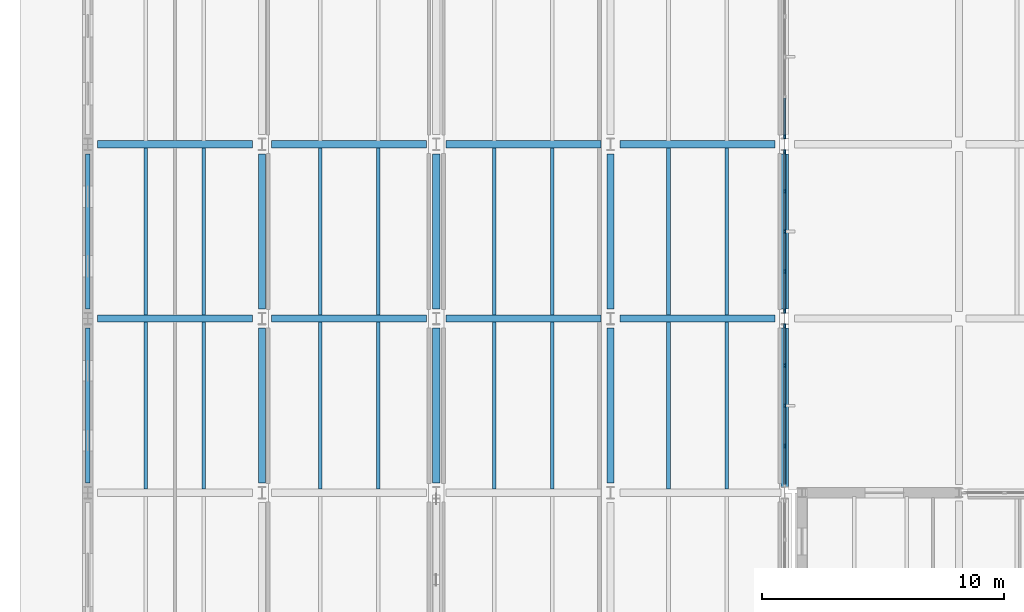
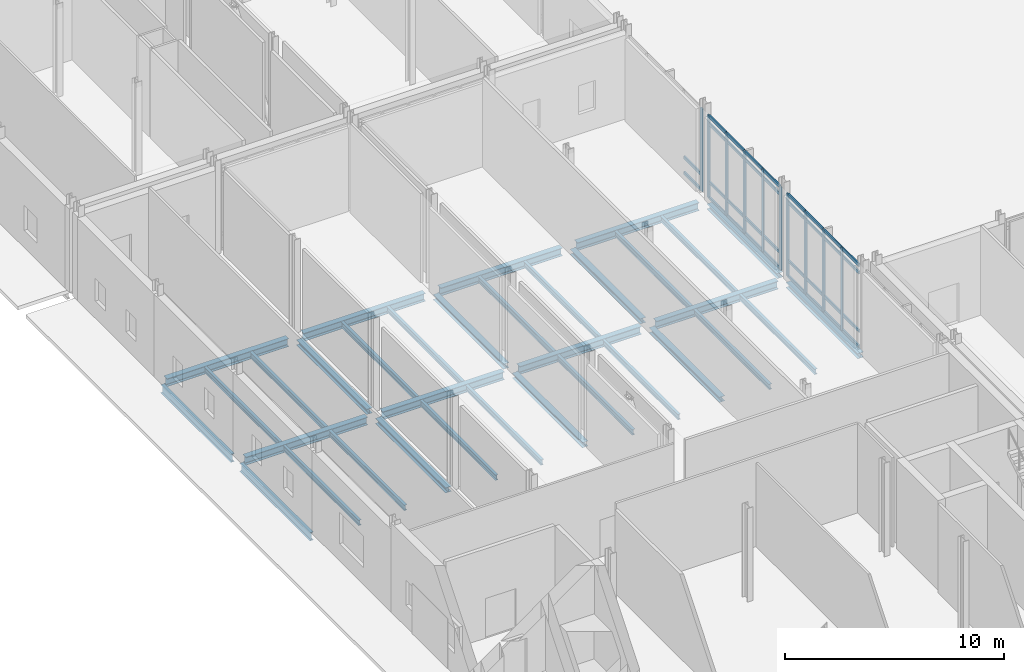
# One storey, part 17 of 89: 44 members, 34 beams, 3 elements without a shape of their own.
"""IFC4 building model written with IfcOpenShell, lengths in metres."""

from ifc_helpers import new_model, si_unit, direction, frame, origin, origin_2d, place, context, subcontext, project, spatial, rectangle, i_section, extrude, material, layer, layer_set, material_profile, profile_set, type_object, element, aggregate, save


model = new_model("IFC4")

# Units and contexts
model_context = context("Model", 3, precision=1e-05, world=origin(), true_north=direction((0.0, 1.0)))
body_context = subcontext(model_context, "Body", "Model", "MODEL_VIEW")
ifc_project = project(units=[si_unit("LENGTHUNIT", "METRE"), si_unit("AREAUNIT", "SQUARE_METRE"), si_unit("VOLUMEUNIT", "CUBIC_METRE"), si_unit("PLANEANGLEUNIT", "RADIAN"), si_unit("MASSUNIT", "GRAM", prefix="KILO")], contexts=[model_context])

# Site, building, storey
site_placement = place(None, origin())
site = spatial("IfcSite", under=ifc_project, at=site_placement, CompositionType="ELEMENT")
building_placement = place(site_placement, origin())
building = spatial("IfcBuilding", under=site, at=building_placement, Name="Zarrinpeak Specialist Clinic", CompositionType="ELEMENT")
storey_placement = place(building_placement, origin())
storey = spatial("IfcBuildingStorey", under=building, at=storey_placement, Name="L00", CompositionType="ELEMENT", Elevation=0.0)

# Beams
ifc_material_1 = material(Name="Steel S355", Category="steel")
ifc_material_profile_1 = material_profile(ifc_material_1, i_section(OverallWidth=0.300048828125, OverallDepth=0.2900390625, WebThickness=0.008544921875, FlangeThickness=0.013916015625, FilletRadius=0.027099609375, at=origin_2d()), Name="HEA 300")
ifc_profile_set_1 = profile_set([ifc_material_profile_1], Name="Steel S355")
beam_type_1 = type_object("IfcBeamType", Name="BM-HEA300", PredefinedType="BEAM", material=ifc_profile_set_1)
for number, where, z_axis, x_axis, name in (
    (1, (7.199951171875, 29.197998046875, -0.39501953125), (0.0, 1.0, 0.0), (-1.0, 0.0, 0.0), "L00 Primary Beam BM-L00-Y0222"),
    (2, (7.199951171875, 36.39794921875, -0.39501953125), (0.0, 1.0, 0.0), (-1.0, 0.0, 0.0), "L00 Primary Beam BM-L00-Y0223"),
    (3, (14.39990234375, 29.197998046875, -0.39501953125), (0.0, 1.0, 0.0), (-1.0, 0.0, 0.0), "L00 Primary Beam BM-L00-Y0234"),
    (4, (14.39990234375, 36.39794921875, -0.39501953125), (0.0, 1.0, 0.0), (-1.0, 0.0, 0.0), "L00 Primary Beam BM-L00-Y0235"),
    (5, (21.60009765625, 29.197998046875, -0.39501953125), (0.0, 1.0, 0.0), (-1.0, 0.0, 0.0), "L00 Primary Beam BM-L00-Y0246"),
    (6, (21.60009765625, 36.39794921875, -0.39501953125), (0.0, 1.0, 0.0), (-1.0, 0.0, 0.0), "L00 Primary Beam BM-L00-Y0247"),
):
    element("IfcBeam", number, at=place(storey_placement, frame(where, z_axis=z_axis, x_axis=x_axis)), inside=storey, type_object=beam_type_1, Name=name, PredefinedType="BEAM", context=body_context, shape_type="SweptSolid", body=[
        extrude(i_section(OverallWidth=0.300048828125, OverallDepth=0.2900390625, WebThickness=0.008544921875, FlangeThickness=0.013916015625, FilletRadius=0.027099609375, at=origin_2d()), origin(), (0.0, 0.0, 1.0), 6.404052734375),
    ])
beam_1_placement = place(storey_placement, frame((28.800048828125, 29.048095703125, -0.39501953125), z_axis=(0.0, 1.0, 0.0), x_axis=(-1.0, 0.0, 0.0)))
element("IfcBeam", 7, at=beam_1_placement, inside=storey, type_object=beam_type_1, Name="L00 Primary Beam BM-L00-Y0255", PredefinedType="BEAM", context=body_context, shape_type="SweptSolid", body=[
    extrude(i_section(OverallWidth=0.300048828125, OverallDepth=0.2900390625, WebThickness=0.008544921875, FlangeThickness=0.013916015625, FilletRadius=0.027099609375, at=origin_2d()), origin(), (0.0, 0.0, 1.0), 6.553955078125),
])
beam_2_placement = place(storey_placement, frame((28.800048828125, 36.39794921875, -0.39501953125), z_axis=(0.0, 1.0, 0.0), x_axis=(-1.0, 0.0, 0.0)))
element("IfcBeam", 8, at=beam_2_placement, inside=storey, type_object=beam_type_1, Name="L00 Primary Beam BM-L00-Y0256", PredefinedType="BEAM", context=body_context, shape_type="SweptSolid", body=[
    extrude(i_section(OverallWidth=0.300048828125, OverallDepth=0.2900390625, WebThickness=0.008544921875, FlangeThickness=0.013916015625, FilletRadius=0.027099609375, at=origin_2d()), origin(), (0.0, 0.0, 1.0), 6.404052734375),
])
ifc_material_profile_2 = material_profile(ifc_material_1, i_section(OverallWidth=0.300048828125, OverallDepth=0.43994140625, WebThickness=0.011474609375, FlangeThickness=0.02099609375, FilletRadius=0.027099609375, at=origin_2d()), Name="HEA 450")
ifc_profile_set_2 = profile_set([ifc_material_profile_2], Name="Steel S355")
beam_type_2 = type_object("IfcBeamType", Name="BM-HEA450", PredefinedType="BEAM", material=ifc_profile_set_2)
for number, where, z_axis, x_axis, name in (
    (9, (0.39794921875, 36.0, -0.469970703125), (1.0, 0.0, 0.0), (0.0, 1.0, 0.0), "L00 Primary Floor Girder BM-L00-X0056"),
    (10, (7.597900390625, 36.0, -0.469970703125), (1.0, 0.0, 0.0), (0.0, 1.0, 0.0), "L00 Primary Floor Girder BM-L00-X0057"),
):
    element("IfcBeam", number, at=place(storey_placement, frame(where, z_axis=z_axis, x_axis=x_axis)), inside=storey, type_object=beam_type_2, Name=name, PredefinedType="BEAM", context=body_context, shape_type="SweptSolid", body=[
        extrude(i_section(OverallWidth=0.300048828125, OverallDepth=0.43994140625, WebThickness=0.011474609375, FlangeThickness=0.02099609375, FilletRadius=0.027099609375, at=origin_2d()), origin(), (0.0, 0.0, 1.0), 6.404052734375),
    ])
beam_3_placement = place(storey_placement, frame((14.798095703125, 36.0, -0.469970703125), z_axis=(1.0, 0.0, 0.0), x_axis=(0.0, 1.0, 0.0)))
element("IfcBeam", 11, at=beam_3_placement, inside=storey, type_object=beam_type_2, Name="L00 Primary Floor Girder BM-L00-X0058", PredefinedType="BEAM", context=body_context, shape_type="SweptSolid", body=[
    extrude(i_section(OverallWidth=0.300048828125, OverallDepth=0.43994140625, WebThickness=0.011474609375, FlangeThickness=0.02099609375, FilletRadius=0.027099609375, at=origin_2d()), origin(), (0.0, 0.0, 1.0), 6.40380859375),
])
for number, where, z_axis, x_axis, name in (
    (12, (21.998046875, 36.0, -0.469970703125), (1.0, 0.0, 0.0), (0.0, 1.0, 0.0), "L00 Primary Floor Girder BM-L00-X0059"),
    (13, (0.39794921875, 43.199951171875, -0.469970703125), (1.0, 0.0, 0.0), (0.0, 1.0, 0.0), "L00 Primary Floor Girder BM-L00-X0078"),
    (14, (7.597900390625, 43.199951171875, -0.469970703125), (1.0, 0.0, 0.0), (0.0, 1.0, 0.0), "L00 Primary Floor Girder BM-L00-X0079"),
):
    element("IfcBeam", number, at=place(storey_placement, frame(where, z_axis=z_axis, x_axis=x_axis)), inside=storey, type_object=beam_type_2, Name=name, PredefinedType="BEAM", context=body_context, shape_type="SweptSolid", body=[
        extrude(i_section(OverallWidth=0.300048828125, OverallDepth=0.43994140625, WebThickness=0.011474609375, FlangeThickness=0.02099609375, FilletRadius=0.027099609375, at=origin_2d()), origin(), (0.0, 0.0, 1.0), 6.404052734375),
    ])
beam_4_placement = place(storey_placement, frame((14.798095703125, 43.199951171875, -0.469970703125), z_axis=(1.0, 0.0, 0.0), x_axis=(0.0, 1.0, 0.0)))
element("IfcBeam", 15, at=beam_4_placement, inside=storey, type_object=beam_type_2, Name="L00 Primary Floor Girder BM-L00-X0080", PredefinedType="BEAM", context=body_context, shape_type="SweptSolid", body=[
    extrude(i_section(OverallWidth=0.300048828125, OverallDepth=0.43994140625, WebThickness=0.011474609375, FlangeThickness=0.02099609375, FilletRadius=0.027099609375, at=origin_2d()), origin(), (0.0, 0.0, 1.0), 6.40380859375),
])
beam_5_placement = place(storey_placement, frame((21.998046875, 43.199951171875, -0.469970703125), z_axis=(1.0, 0.0, 0.0), x_axis=(0.0, 1.0, 0.0)))
element("IfcBeam", 16, at=beam_5_placement, inside=storey, type_object=beam_type_2, Name="L00 Primary Floor Girder BM-L00-X0081", PredefinedType="BEAM", context=body_context, shape_type="SweptSolid", body=[
    extrude(i_section(OverallWidth=0.300048828125, OverallDepth=0.43994140625, WebThickness=0.011474609375, FlangeThickness=0.02099609375, FilletRadius=0.027099609375, at=origin_2d()), origin(), (0.0, 0.0, 1.0), 6.404052734375),
])
ifc_material_profile_3 = material_profile(ifc_material_1, i_section(OverallWidth=0.14990234375, OverallDepth=0.300048828125, WebThickness=0.007080078125, FlangeThickness=0.0107421875, FilletRadius=0.014892578125, at=origin_2d()), Name="IPE 300")
ifc_profile_set_3 = profile_set([ifc_material_profile_3], Name="Steel S355")
beam_type_3 = type_object("IfcBeamType", Name="BM-JST300", PredefinedType="JOIST", material=ifc_profile_set_3)
for number, where, z_axis, x_axis, name in (
    (17, (2.39990234375, 28.947998046875, -0.39990234375), (0.0, 1.0, 0.0), (-1.0, 0.0, 0.0), "L00 Composite Floor Joist JST-L00-0415"),
    (18, (4.800048828125, 28.947998046875, -0.39990234375), (0.0, 1.0, 0.0), (-1.0, 0.0, 0.0), "L00 Composite Floor Joist JST-L00-0416"),
    (19, (2.39990234375, 36.14794921875, -0.39990234375), (0.0, 1.0, 0.0), (-1.0, 0.0, 0.0), "L00 Composite Floor Joist JST-L00-0417"),
    (20, (4.800048828125, 36.14794921875, -0.39990234375), (0.0, 1.0, 0.0), (-1.0, 0.0, 0.0), "L00 Composite Floor Joist JST-L00-0418"),
    (21, (9.60009765625, 28.947998046875, -0.39990234375), (0.0, 1.0, 0.0), (-1.0, 0.0, 0.0), "L00 Composite Floor Joist JST-L00-0429"),
    (22, (12.0, 28.947998046875, -0.39990234375), (0.0, 1.0, 0.0), (-1.0, 0.0, 0.0), "L00 Composite Floor Joist JST-L00-0430"),
    (23, (9.60009765625, 36.14794921875, -0.39990234375), (0.0, 1.0, 0.0), (-1.0, 0.0, 0.0), "L00 Composite Floor Joist JST-L00-0431"),
    (24, (12.0, 36.14794921875, -0.39990234375), (0.0, 1.0, 0.0), (-1.0, 0.0, 0.0), "L00 Composite Floor Joist JST-L00-0432"),
    (25, (16.800048828125, 28.947998046875, -0.39990234375), (0.0, 1.0, 0.0), (-1.0, 0.0, 0.0), "L00 Composite Floor Joist JST-L00-0443"),
    (26, (19.199951171875, 28.947998046875, -0.39990234375), (0.0, 1.0, 0.0), (-1.0, 0.0, 0.0), "L00 Composite Floor Joist JST-L00-0444"),
    (27, (16.800048828125, 36.14794921875, -0.39990234375), (0.0, 1.0, 0.0), (-1.0, 0.0, 0.0), "L00 Composite Floor Joist JST-L00-0445"),
    (28, (19.199951171875, 36.14794921875, -0.39990234375), (0.0, 1.0, 0.0), (-1.0, 0.0, 0.0), "L00 Composite Floor Joist JST-L00-0446"),
    (29, (24.0, 28.947998046875, -0.39990234375), (0.0, 1.0, 0.0), (-1.0, 0.0, 0.0), "L00 Composite Floor Joist JST-L00-0451"),
    (30, (26.39990234375, 28.947998046875, -0.39990234375), (0.0, 1.0, 0.0), (-1.0, 0.0, 0.0), "L00 Composite Floor Joist JST-L00-0452"),
    (31, (24.0, 36.14794921875, -0.39990234375), (0.0, 1.0, 0.0), (-1.0, 0.0, 0.0), "L00 Composite Floor Joist JST-L00-0453"),
    (32, (26.39990234375, 36.14794921875, -0.39990234375), (0.0, 1.0, 0.0), (-1.0, 0.0, 0.0), "L00 Composite Floor Joist JST-L00-0454"),
):
    element("IfcBeam", number, at=place(storey_placement, frame(where, z_axis=z_axis, x_axis=x_axis)), inside=storey, type_object=beam_type_3, Name=name, PredefinedType="JOIST", context=body_context, shape_type="SweptSolid", body=[
        extrude(i_section(OverallWidth=0.14990234375, OverallDepth=0.300048828125, WebThickness=0.007080078125, FlangeThickness=0.0107421875, FilletRadius=0.014892578125, at=origin_2d()), origin(), (0.0, 0.0, 1.0), 6.904052734375),
    ])
ifc_material_profile_4 = material_profile(ifc_material_1, i_section(OverallWidth=0.18994140625, OverallDepth=0.449951171875, WebThickness=0.009521484375, FlangeThickness=0.0146484375, FilletRadius=0.02099609375, at=origin_2d()), Name="IPE 450")
ifc_profile_set_4 = profile_set([ifc_material_profile_4], Name="Steel S355")
beam_type_4 = type_object("IfcBeamType", Name="BM-SP450", PredefinedType="SPANDREL", material=ifc_profile_set_4)
for number, where, z_axis, x_axis, name in (
    (33, (0.0, 29.197998046875, -0.47509765625), (0.0, 1.0, 0.0), (-1.0, 0.0, 0.0), "L00 Perimeter Spandrel Beam BM-L00-Y0212"),
    (34, (0.0, 36.39794921875, -0.47509765625), (0.0, 1.0, 0.0), (-1.0, 0.0, 0.0), "L00 Perimeter Spandrel Beam BM-L00-Y0213"),
):
    element("IfcBeam", number, at=place(storey_placement, frame(where, z_axis=z_axis, x_axis=x_axis)), inside=storey, type_object=beam_type_4, Name=name, PredefinedType="SPANDREL", context=body_context, shape_type="SweptSolid", body=[
        extrude(i_section(OverallWidth=0.18994140625, OverallDepth=0.449951171875, WebThickness=0.009521484375, FlangeThickness=0.0146484375, FilletRadius=0.02099609375, at=origin_2d()), origin(), (0.0, 0.0, 1.0), 6.404052734375),
    ])

# Curtain wall, members
ifc_material_2 = material(Name="Anodised Aluminium Alloy 6063-T6", Category="aluminium")
ifc_layer = layer(ifc_material_2, 0.179931640625)
ifc_layer_set = layer_set([ifc_layer], Name="Anodised Aluminium Alloy 6063-T6")
curtain_wall_type = type_object("IfcCurtainWallType", Name="CW-COURT", PredefinedType="NOTDEFINED", material=ifc_layer_set)
curtain_wall_1_placement = place(storey_placement, origin())
curtain_wall_1 = element("IfcCurtainWall", 35, at=curtain_wall_1_placement, inside=storey, type_object=curtain_wall_type, Name="L00 V1 Unitised Curtain Wall CW-L00-V1-004", PredefinedType="NOTDEFINED")
ifc_material_profile_5 = material_profile(ifc_material_2, rectangle(XDim=0.074951171875, YDim=0.179931640625, at=origin_2d()), Name="ALU 75x180")
ifc_profile_set_5 = profile_set([ifc_material_profile_5], Name="Anodised Aluminium Alloy 6063-T6")
member_type_1 = type_object("IfcMemberType", Name="CWM-75", PredefinedType="MULLION", material=ifc_profile_set_5)
member_1_placement = place(storey_placement, frame((28.800048828125, 30.737548828125, 0.0), z_axis=(0.0, 0.0, 1.0), x_axis=(-1.0, 0.0, 0.0)))
member_1 = element("IfcMember", 36, at=member_1_placement, type_object=member_type_1, Name="CW-01 mullion 2", PredefinedType="MULLION", context=body_context, shape_type="SweptSolid", body=[
    extrude(rectangle(XDim=0.074951171875, YDim=0.179931640625, at=origin_2d()), origin(), (0.0, 0.0, 1.0), 4.594970703125),
])
member_2_placement = place(storey_placement, frame((28.800048828125, 32.39990234375, 0.0), z_axis=(0.0, 0.0, 1.0), x_axis=(-1.0, 0.0, 0.0)))
member_2 = element("IfcMember", 37, at=member_2_placement, type_object=member_type_1, Name="CW-01 mullion 3", PredefinedType="MULLION", context=body_context, shape_type="SweptSolid", body=[
    extrude(rectangle(XDim=0.074951171875, YDim=0.179931640625, at=origin_2d()), origin(), (0.0, 0.0, 1.0), 4.594970703125),
])
member_3_placement = place(storey_placement, frame((28.800048828125, 34.0625, 0.0), z_axis=(0.0, 0.0, 1.0), x_axis=(-1.0, 0.0, 0.0)))
member_3 = element("IfcMember", 38, at=member_3_placement, type_object=member_type_1, Name="CW-01 mullion 4", PredefinedType="MULLION", context=body_context, shape_type="SweptSolid", body=[
    extrude(rectangle(XDim=0.074951171875, YDim=0.179931640625, at=origin_2d()), origin(), (0.0, 0.0, 1.0), 4.594970703125),
])
member_4_placement = place(storey_placement, frame((28.800048828125, 35.6875, 0.0), z_axis=(0.0, 0.0, 1.0), x_axis=(-1.0, 0.0, 0.0)))
member_4 = element("IfcMember", 39, at=member_4_placement, type_object=member_type_1, Name="CW-01 mullion 5", PredefinedType="MULLION", context=body_context, shape_type="SweptSolid", body=[
    extrude(rectangle(XDim=0.074951171875, YDim=0.179931640625, at=origin_2d()), origin(), (0.0, 0.0, 1.0), 4.594970703125),
])

curtain_wall_2_placement = place(storey_placement, origin())
curtain_wall_2 = element("IfcCurtainWall", 40, at=curtain_wall_2_placement, inside=storey, type_object=curtain_wall_type, Name="L00 V1 Unitised Curtain Wall CW-L00-V1-005", PredefinedType="NOTDEFINED")
member_5_placement = place(storey_placement, frame((28.800048828125, 36.3125, 0.0), z_axis=(0.0, 0.0, 1.0), x_axis=(-1.0, 0.0, 0.0)))
member_5 = element("IfcMember", 41, at=member_5_placement, type_object=member_type_1, Name="CW-01 mullion 1", PredefinedType="MULLION", context=body_context, shape_type="SweptSolid", body=[
    extrude(rectangle(XDim=0.074951171875, YDim=0.179931640625, at=origin_2d()), origin(), (0.0, 0.0, 1.0), 4.594970703125),
])
member_6_placement = place(storey_placement, frame((28.800048828125, 37.9375, 0.0), z_axis=(0.0, 0.0, 1.0), x_axis=(-1.0, 0.0, 0.0)))
member_6 = element("IfcMember", 42, at=member_6_placement, type_object=member_type_1, Name="CW-01 mullion 2", PredefinedType="MULLION", context=body_context, shape_type="SweptSolid", body=[
    extrude(rectangle(XDim=0.074951171875, YDim=0.179931640625, at=origin_2d()), origin(), (0.0, 0.0, 1.0), 4.594970703125),
])
member_7_placement = place(storey_placement, frame((28.800048828125, 39.60009765625, 0.0), z_axis=(0.0, 0.0, 1.0), x_axis=(-1.0, 0.0, 0.0)))
member_7 = element("IfcMember", 43, at=member_7_placement, type_object=member_type_1, Name="CW-01 mullion 3", PredefinedType="MULLION", context=body_context, shape_type="SweptSolid", body=[
    extrude(rectangle(XDim=0.074951171875, YDim=0.179931640625, at=origin_2d()), origin(), (0.0, 0.0, 1.0), 4.594970703125),
])
member_8_placement = place(storey_placement, frame((28.800048828125, 41.262451171875, 0.0), z_axis=(0.0, 0.0, 1.0), x_axis=(-1.0, 0.0, 0.0)))
member_8 = element("IfcMember", 44, at=member_8_placement, type_object=member_type_1, Name="CW-01 mullion 4", PredefinedType="MULLION", context=body_context, shape_type="SweptSolid", body=[
    extrude(rectangle(XDim=0.074951171875, YDim=0.179931640625, at=origin_2d()), origin(), (0.0, 0.0, 1.0), 4.594970703125),
])
member_9_placement = place(storey_placement, frame((28.800048828125, 42.887451171875, 0.0), z_axis=(0.0, 0.0, 1.0), x_axis=(-1.0, 0.0, 0.0)))
member_9 = element("IfcMember", 45, at=member_9_placement, type_object=member_type_1, Name="CW-01 mullion 5", PredefinedType="MULLION", context=body_context, shape_type="SweptSolid", body=[
    extrude(rectangle(XDim=0.074951171875, YDim=0.179931640625, at=origin_2d()), origin(), (0.0, 0.0, 1.0), 4.594970703125),
])

# Curtain wall, member
curtain_wall_3_placement = place(storey_placement, origin())
curtain_wall_3 = element("IfcCurtainWall", 46, at=curtain_wall_3_placement, inside=storey, type_object=curtain_wall_type, Name="L00 V1 Unitised Curtain Wall CW-L00-V1-006", PredefinedType="NOTDEFINED")
member_10_placement = place(storey_placement, frame((28.800048828125, 43.512451171875, 0.0), z_axis=(0.0, 0.0, 1.0), x_axis=(-1.0, 0.0, 0.0)))
member_10 = element("IfcMember", 47, at=member_10_placement, type_object=member_type_1, Name="CW-01 mullion 1", PredefinedType="MULLION", context=body_context, shape_type="SweptSolid", body=[
    extrude(rectangle(XDim=0.074951171875, YDim=0.179931640625, at=origin_2d()), origin(), (0.0, 0.0, 1.0), 4.594970703125),
])

# Member
ifc_material_profile_6 = material_profile(ifc_material_2, rectangle(XDim=0.074951171875, YDim=0.159912109375, at=origin_2d()), Name="ALU 75x160")
ifc_profile_set_6 = profile_set([ifc_material_profile_6], Name="Anodised Aluminium Alloy 6063-T6")
member_type_2 = type_object("IfcMemberType", Name="CWT-75", PredefinedType="USERDEFINED", material=ifc_profile_set_6)
member_11_placement = place(storey_placement, frame((28.800048828125, 29.14990234375, 0.03759765625), z_axis=(0.0, 1.0, 0.0), x_axis=(-1.0, 0.0, 0.0)))
member_11 = element("IfcMember", 48, at=member_11_placement, type_object=member_type_2, Name="CW-01 transom 1.1", ObjectType="TRANSOM", PredefinedType="USERDEFINED", context=body_context, shape_type="SweptSolid", body=[
    extrude(rectangle(XDim=0.074951171875, YDim=0.159912109375, at=origin_2d()), origin(), (0.0, 0.0, 1.0), 1.550048828125),
])

member_12_placement = place(storey_placement, frame((28.800048828125, 29.14990234375, 0.89990234375), z_axis=(0.0, 1.0, 0.0), x_axis=(-1.0, 0.0, 0.0)))
member_12 = element("IfcMember", 49, at=member_12_placement, type_object=member_type_2, Name="CW-01 transom 1.2", ObjectType="TRANSOM", PredefinedType="USERDEFINED", context=body_context, shape_type="SweptSolid", body=[
    extrude(rectangle(XDim=0.074951171875, YDim=0.159912109375, at=origin_2d()), origin(), (0.0, 0.0, 1.0), 1.550048828125),
])

member_13_placement = place(storey_placement, frame((28.800048828125, 29.14990234375, 4.14501953125), z_axis=(0.0, 1.0, 0.0), x_axis=(-1.0, 0.0, 0.0)))
member_13 = element("IfcMember", 50, at=member_13_placement, type_object=member_type_2, Name="CW-01 transom 1.3", ObjectType="TRANSOM", PredefinedType="USERDEFINED", context=body_context, shape_type="SweptSolid", body=[
    extrude(rectangle(XDim=0.074951171875, YDim=0.159912109375, at=origin_2d()), origin(), (0.0, 0.0, 1.0), 1.550048828125),
])

member_14_placement = place(storey_placement, frame((28.800048828125, 29.14990234375, 4.5576171875), z_axis=(0.0, 1.0, 0.0), x_axis=(-1.0, 0.0, 0.0)))
member_14 = element("IfcMember", 51, at=member_14_placement, type_object=member_type_2, Name="CW-01 transom 1.4", ObjectType="TRANSOM", PredefinedType="USERDEFINED", context=body_context, shape_type="SweptSolid", body=[
    extrude(rectangle(XDim=0.074951171875, YDim=0.159912109375, at=origin_2d()), origin(), (0.0, 0.0, 1.0), 1.550048828125),
])

member_15_placement = place(storey_placement, frame((28.800048828125, 30.77490234375, 0.03759765625), z_axis=(0.0, 1.0, 0.0), x_axis=(-1.0, 0.0, 0.0)))
member_15 = element("IfcMember", 52, at=member_15_placement, type_object=member_type_2, Name="CW-01 transom 2.1", ObjectType="TRANSOM", PredefinedType="USERDEFINED", context=body_context, shape_type="SweptSolid", body=[
    extrude(rectangle(XDim=0.074951171875, YDim=0.159912109375, at=origin_2d()), origin(), (0.0, 0.0, 1.0), 1.587646484375),
])

member_16_placement = place(storey_placement, frame((28.800048828125, 30.77490234375, 0.89990234375), z_axis=(0.0, 1.0, 0.0), x_axis=(-1.0, 0.0, 0.0)))
member_16 = element("IfcMember", 53, at=member_16_placement, type_object=member_type_2, Name="CW-01 transom 2.2", ObjectType="TRANSOM", PredefinedType="USERDEFINED", context=body_context, shape_type="SweptSolid", body=[
    extrude(rectangle(XDim=0.074951171875, YDim=0.159912109375, at=origin_2d()), origin(), (0.0, 0.0, 1.0), 1.587646484375),
])

member_17_placement = place(storey_placement, frame((28.800048828125, 30.77490234375, 4.14501953125), z_axis=(0.0, 1.0, 0.0), x_axis=(-1.0, 0.0, 0.0)))
member_17 = element("IfcMember", 54, at=member_17_placement, type_object=member_type_2, Name="CW-01 transom 2.3", ObjectType="TRANSOM", PredefinedType="USERDEFINED", context=body_context, shape_type="SweptSolid", body=[
    extrude(rectangle(XDim=0.074951171875, YDim=0.159912109375, at=origin_2d()), origin(), (0.0, 0.0, 1.0), 1.587646484375),
])

member_18_placement = place(storey_placement, frame((28.800048828125, 30.77490234375, 4.5576171875), z_axis=(0.0, 1.0, 0.0), x_axis=(-1.0, 0.0, 0.0)))
member_18 = element("IfcMember", 55, at=member_18_placement, type_object=member_type_2, Name="CW-01 transom 2.4", ObjectType="TRANSOM", PredefinedType="USERDEFINED", context=body_context, shape_type="SweptSolid", body=[
    extrude(rectangle(XDim=0.074951171875, YDim=0.159912109375, at=origin_2d()), origin(), (0.0, 0.0, 1.0), 1.587646484375),
])

member_19_placement = place(storey_placement, frame((28.800048828125, 32.4375, 0.03759765625), z_axis=(0.0, 1.0, 0.0), x_axis=(-1.0, 0.0, 0.0)))
member_19 = element("IfcMember", 56, at=member_19_placement, type_object=member_type_2, Name="CW-01 transom 3.1", ObjectType="TRANSOM", PredefinedType="USERDEFINED", context=body_context, shape_type="SweptSolid", body=[
    extrude(rectangle(XDim=0.074951171875, YDim=0.159912109375, at=origin_2d()), origin(), (0.0, 0.0, 1.0), 1.58740234375),
])

member_20_placement = place(storey_placement, frame((28.800048828125, 32.4375, 0.89990234375), z_axis=(0.0, 1.0, 0.0), x_axis=(-1.0, 0.0, 0.0)))
member_20 = element("IfcMember", 57, at=member_20_placement, type_object=member_type_2, Name="CW-01 transom 3.2", ObjectType="TRANSOM", PredefinedType="USERDEFINED", context=body_context, shape_type="SweptSolid", body=[
    extrude(rectangle(XDim=0.074951171875, YDim=0.159912109375, at=origin_2d()), origin(), (0.0, 0.0, 1.0), 1.58740234375),
])

member_21_placement = place(storey_placement, frame((28.800048828125, 32.4375, 4.14501953125), z_axis=(0.0, 1.0, 0.0), x_axis=(-1.0, 0.0, 0.0)))
member_21 = element("IfcMember", 58, at=member_21_placement, type_object=member_type_2, Name="CW-01 transom 3.3", ObjectType="TRANSOM", PredefinedType="USERDEFINED", context=body_context, shape_type="SweptSolid", body=[
    extrude(rectangle(XDim=0.074951171875, YDim=0.159912109375, at=origin_2d()), origin(), (0.0, 0.0, 1.0), 1.58740234375),
])

member_22_placement = place(storey_placement, frame((28.800048828125, 32.4375, 4.5576171875), z_axis=(0.0, 1.0, 0.0), x_axis=(-1.0, 0.0, 0.0)))
member_22 = element("IfcMember", 59, at=member_22_placement, type_object=member_type_2, Name="CW-01 transom 3.4", ObjectType="TRANSOM", PredefinedType="USERDEFINED", context=body_context, shape_type="SweptSolid", body=[
    extrude(rectangle(XDim=0.074951171875, YDim=0.159912109375, at=origin_2d()), origin(), (0.0, 0.0, 1.0), 1.58740234375),
])

member_23_placement = place(storey_placement, frame((28.800048828125, 34.10009765625, 0.03759765625), z_axis=(0.0, 1.0, 0.0), x_axis=(-1.0, 0.0, 0.0)))
member_23 = element("IfcMember", 60, at=member_23_placement, type_object=member_type_2, Name="CW-01 transom 4.1", ObjectType="TRANSOM", PredefinedType="USERDEFINED", context=body_context, shape_type="SweptSolid", body=[
    extrude(rectangle(XDim=0.074951171875, YDim=0.159912109375, at=origin_2d()), origin(), (0.0, 0.0, 1.0), 1.5498046875),
])

member_24_placement = place(storey_placement, frame((28.800048828125, 34.10009765625, 0.89990234375), z_axis=(0.0, 1.0, 0.0), x_axis=(-1.0, 0.0, 0.0)))
member_24 = element("IfcMember", 61, at=member_24_placement, type_object=member_type_2, Name="CW-01 transom 4.2", ObjectType="TRANSOM", PredefinedType="USERDEFINED", context=body_context, shape_type="SweptSolid", body=[
    extrude(rectangle(XDim=0.074951171875, YDim=0.159912109375, at=origin_2d()), origin(), (0.0, 0.0, 1.0), 1.5498046875),
])

member_25_placement = place(storey_placement, frame((28.800048828125, 34.10009765625, 4.14501953125), z_axis=(0.0, 1.0, 0.0), x_axis=(-1.0, 0.0, 0.0)))
member_25 = element("IfcMember", 62, at=member_25_placement, type_object=member_type_2, Name="CW-01 transom 4.3", ObjectType="TRANSOM", PredefinedType="USERDEFINED", context=body_context, shape_type="SweptSolid", body=[
    extrude(rectangle(XDim=0.074951171875, YDim=0.159912109375, at=origin_2d()), origin(), (0.0, 0.0, 1.0), 1.5498046875),
])

member_26_placement = place(storey_placement, frame((28.800048828125, 34.10009765625, 4.5576171875), z_axis=(0.0, 1.0, 0.0), x_axis=(-1.0, 0.0, 0.0)))
member_26 = element("IfcMember", 63, at=member_26_placement, type_object=member_type_2, Name="CW-01 transom 4.4", ObjectType="TRANSOM", PredefinedType="USERDEFINED", context=body_context, shape_type="SweptSolid", body=[
    extrude(rectangle(XDim=0.074951171875, YDim=0.159912109375, at=origin_2d()), origin(), (0.0, 0.0, 1.0), 1.5498046875),
])

aggregate(curtain_wall_1, [member_1, member_2, member_3, member_4, member_11, member_12, member_13, member_14, member_15, member_16, member_17, member_18, member_19, member_20, member_21, member_22, member_23, member_24, member_25, member_26])

member_27_placement = place(storey_placement, frame((28.800048828125, 36.35009765625, 0.03759765625), z_axis=(0.0, 1.0, 0.0), x_axis=(-1.0, 0.0, 0.0)))
member_27 = element("IfcMember", 64, at=member_27_placement, type_object=member_type_2, Name="CW-01 transom 1.1", ObjectType="TRANSOM", PredefinedType="USERDEFINED", context=body_context, shape_type="SweptSolid", body=[
    extrude(rectangle(XDim=0.074951171875, YDim=0.159912109375, at=origin_2d()), origin(), (0.0, 0.0, 1.0), 1.5498046875),
])

member_28_placement = place(storey_placement, frame((28.800048828125, 36.35009765625, 0.89990234375), z_axis=(0.0, 1.0, 0.0), x_axis=(-1.0, 0.0, 0.0)))
member_28 = element("IfcMember", 65, at=member_28_placement, type_object=member_type_2, Name="CW-01 transom 1.2", ObjectType="TRANSOM", PredefinedType="USERDEFINED", context=body_context, shape_type="SweptSolid", body=[
    extrude(rectangle(XDim=0.074951171875, YDim=0.159912109375, at=origin_2d()), origin(), (0.0, 0.0, 1.0), 1.5498046875),
])

member_29_placement = place(storey_placement, frame((28.800048828125, 36.35009765625, 4.14501953125), z_axis=(0.0, 1.0, 0.0), x_axis=(-1.0, 0.0, 0.0)))
member_29 = element("IfcMember", 66, at=member_29_placement, type_object=member_type_2, Name="CW-01 transom 1.3", ObjectType="TRANSOM", PredefinedType="USERDEFINED", context=body_context, shape_type="SweptSolid", body=[
    extrude(rectangle(XDim=0.074951171875, YDim=0.159912109375, at=origin_2d()), origin(), (0.0, 0.0, 1.0), 1.5498046875),
])

member_30_placement = place(storey_placement, frame((28.800048828125, 36.35009765625, 4.5576171875), z_axis=(0.0, 1.0, 0.0), x_axis=(-1.0, 0.0, 0.0)))
member_30 = element("IfcMember", 67, at=member_30_placement, type_object=member_type_2, Name="CW-01 transom 1.4", ObjectType="TRANSOM", PredefinedType="USERDEFINED", context=body_context, shape_type="SweptSolid", body=[
    extrude(rectangle(XDim=0.074951171875, YDim=0.159912109375, at=origin_2d()), origin(), (0.0, 0.0, 1.0), 1.5498046875),
])

member_31_placement = place(storey_placement, frame((28.800048828125, 37.97509765625, 0.03759765625), z_axis=(0.0, 1.0, 0.0), x_axis=(-1.0, 0.0, 0.0)))
member_31 = element("IfcMember", 68, at=member_31_placement, type_object=member_type_2, Name="CW-01 transom 2.1", ObjectType="TRANSOM", PredefinedType="USERDEFINED", context=body_context, shape_type="SweptSolid", body=[
    extrude(rectangle(XDim=0.074951171875, YDim=0.159912109375, at=origin_2d()), origin(), (0.0, 0.0, 1.0), 1.58740234375),
])

member_32_placement = place(storey_placement, frame((28.800048828125, 37.97509765625, 0.89990234375), z_axis=(0.0, 1.0, 0.0), x_axis=(-1.0, 0.0, 0.0)))
member_32 = element("IfcMember", 69, at=member_32_placement, type_object=member_type_2, Name="CW-01 transom 2.2", ObjectType="TRANSOM", PredefinedType="USERDEFINED", context=body_context, shape_type="SweptSolid", body=[
    extrude(rectangle(XDim=0.074951171875, YDim=0.159912109375, at=origin_2d()), origin(), (0.0, 0.0, 1.0), 1.58740234375),
])

member_33_placement = place(storey_placement, frame((28.800048828125, 37.97509765625, 4.14501953125), z_axis=(0.0, 1.0, 0.0), x_axis=(-1.0, 0.0, 0.0)))
member_33 = element("IfcMember", 70, at=member_33_placement, type_object=member_type_2, Name="CW-01 transom 2.3", ObjectType="TRANSOM", PredefinedType="USERDEFINED", context=body_context, shape_type="SweptSolid", body=[
    extrude(rectangle(XDim=0.074951171875, YDim=0.159912109375, at=origin_2d()), origin(), (0.0, 0.0, 1.0), 1.58740234375),
])

member_34_placement = place(storey_placement, frame((28.800048828125, 37.97509765625, 4.5576171875), z_axis=(0.0, 1.0, 0.0), x_axis=(-1.0, 0.0, 0.0)))
member_34 = element("IfcMember", 71, at=member_34_placement, type_object=member_type_2, Name="CW-01 transom 2.4", ObjectType="TRANSOM", PredefinedType="USERDEFINED", context=body_context, shape_type="SweptSolid", body=[
    extrude(rectangle(XDim=0.074951171875, YDim=0.159912109375, at=origin_2d()), origin(), (0.0, 0.0, 1.0), 1.58740234375),
])

member_35_placement = place(storey_placement, frame((28.800048828125, 39.637451171875, 0.03759765625), z_axis=(0.0, 1.0, 0.0), x_axis=(-1.0, 0.0, 0.0)))
member_35 = element("IfcMember", 72, at=member_35_placement, type_object=member_type_2, Name="CW-01 transom 3.1", ObjectType="TRANSOM", PredefinedType="USERDEFINED", context=body_context, shape_type="SweptSolid", body=[
    extrude(rectangle(XDim=0.074951171875, YDim=0.159912109375, at=origin_2d()), origin(), (0.0, 0.0, 1.0), 1.587646484375),
])

member_36_placement = place(storey_placement, frame((28.800048828125, 39.637451171875, 0.89990234375), z_axis=(0.0, 1.0, 0.0), x_axis=(-1.0, 0.0, 0.0)))
member_36 = element("IfcMember", 73, at=member_36_placement, type_object=member_type_2, Name="CW-01 transom 3.2", ObjectType="TRANSOM", PredefinedType="USERDEFINED", context=body_context, shape_type="SweptSolid", body=[
    extrude(rectangle(XDim=0.074951171875, YDim=0.159912109375, at=origin_2d()), origin(), (0.0, 0.0, 1.0), 1.587646484375),
])

member_37_placement = place(storey_placement, frame((28.800048828125, 39.637451171875, 4.14501953125), z_axis=(0.0, 1.0, 0.0), x_axis=(-1.0, 0.0, 0.0)))
member_37 = element("IfcMember", 74, at=member_37_placement, type_object=member_type_2, Name="CW-01 transom 3.3", ObjectType="TRANSOM", PredefinedType="USERDEFINED", context=body_context, shape_type="SweptSolid", body=[
    extrude(rectangle(XDim=0.074951171875, YDim=0.159912109375, at=origin_2d()), origin(), (0.0, 0.0, 1.0), 1.587646484375),
])

member_38_placement = place(storey_placement, frame((28.800048828125, 39.637451171875, 4.5576171875), z_axis=(0.0, 1.0, 0.0), x_axis=(-1.0, 0.0, 0.0)))
member_38 = element("IfcMember", 75, at=member_38_placement, type_object=member_type_2, Name="CW-01 transom 3.4", ObjectType="TRANSOM", PredefinedType="USERDEFINED", context=body_context, shape_type="SweptSolid", body=[
    extrude(rectangle(XDim=0.074951171875, YDim=0.159912109375, at=origin_2d()), origin(), (0.0, 0.0, 1.0), 1.587646484375),
])

member_39_placement = place(storey_placement, frame((28.800048828125, 41.300048828125, 0.03759765625), z_axis=(0.0, 1.0, 0.0), x_axis=(-1.0, 0.0, 0.0)))
member_39 = element("IfcMember", 76, at=member_39_placement, type_object=member_type_2, Name="CW-01 transom 4.1", ObjectType="TRANSOM", PredefinedType="USERDEFINED", context=body_context, shape_type="SweptSolid", body=[
    extrude(rectangle(XDim=0.074951171875, YDim=0.159912109375, at=origin_2d()), origin(), (0.0, 0.0, 1.0), 1.550048828125),
])

member_40_placement = place(storey_placement, frame((28.800048828125, 41.300048828125, 0.89990234375), z_axis=(0.0, 1.0, 0.0), x_axis=(-1.0, 0.0, 0.0)))
member_40 = element("IfcMember", 77, at=member_40_placement, type_object=member_type_2, Name="CW-01 transom 4.2", ObjectType="TRANSOM", PredefinedType="USERDEFINED", context=body_context, shape_type="SweptSolid", body=[
    extrude(rectangle(XDim=0.074951171875, YDim=0.159912109375, at=origin_2d()), origin(), (0.0, 0.0, 1.0), 1.550048828125),
])

member_41_placement = place(storey_placement, frame((28.800048828125, 41.300048828125, 4.14501953125), z_axis=(0.0, 1.0, 0.0), x_axis=(-1.0, 0.0, 0.0)))
member_41 = element("IfcMember", 78, at=member_41_placement, type_object=member_type_2, Name="CW-01 transom 4.3", ObjectType="TRANSOM", PredefinedType="USERDEFINED", context=body_context, shape_type="SweptSolid", body=[
    extrude(rectangle(XDim=0.074951171875, YDim=0.159912109375, at=origin_2d()), origin(), (0.0, 0.0, 1.0), 1.550048828125),
])

member_42_placement = place(storey_placement, frame((28.800048828125, 41.300048828125, 4.5576171875), z_axis=(0.0, 1.0, 0.0), x_axis=(-1.0, 0.0, 0.0)))
member_42 = element("IfcMember", 79, at=member_42_placement, type_object=member_type_2, Name="CW-01 transom 4.4", ObjectType="TRANSOM", PredefinedType="USERDEFINED", context=body_context, shape_type="SweptSolid", body=[
    extrude(rectangle(XDim=0.074951171875, YDim=0.159912109375, at=origin_2d()), origin(), (0.0, 0.0, 1.0), 1.550048828125),
])

aggregate(curtain_wall_2, [member_5, member_6, member_7, member_8, member_9, member_27, member_28, member_29, member_30, member_31, member_32, member_33, member_34, member_35, member_36, member_37, member_38, member_39, member_40, member_41, member_42])

member_43_placement = place(storey_placement, frame((28.800048828125, 43.550048828125, 0.03759765625), z_axis=(0.0, 1.0, 0.0), x_axis=(-1.0, 0.0, 0.0)))
member_43 = element("IfcMember", 80, at=member_43_placement, type_object=member_type_2, Name="CW-01 transom 1.1", ObjectType="TRANSOM", PredefinedType="USERDEFINED", context=body_context, shape_type="SweptSolid", body=[
    extrude(rectangle(XDim=0.074951171875, YDim=0.159912109375, at=origin_2d()), origin(), (0.0, 0.0, 1.0), 1.55615234375),
])

member_44_placement = place(storey_placement, frame((28.800048828125, 43.550048828125, 0.89990234375), z_axis=(0.0, 1.0, 0.0), x_axis=(-1.0, 0.0, 0.0)))
member_44 = element("IfcMember", 81, at=member_44_placement, type_object=member_type_2, Name="CW-01 transom 1.2", ObjectType="TRANSOM", PredefinedType="USERDEFINED", context=body_context, shape_type="SweptSolid", body=[
    extrude(rectangle(XDim=0.074951171875, YDim=0.159912109375, at=origin_2d()), origin(), (0.0, 0.0, 1.0), 1.55615234375),
])

aggregate(curtain_wall_3, [member_10, member_43, member_44])

save(model, "model.ifc")
